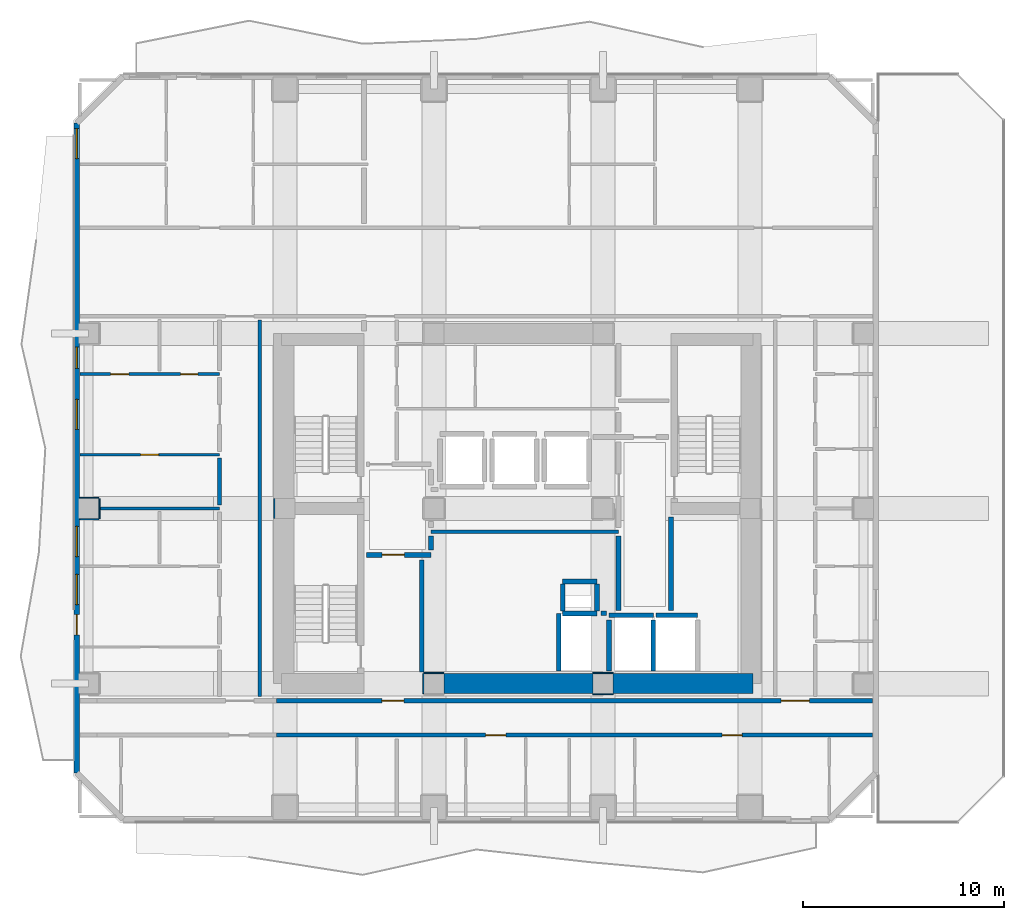
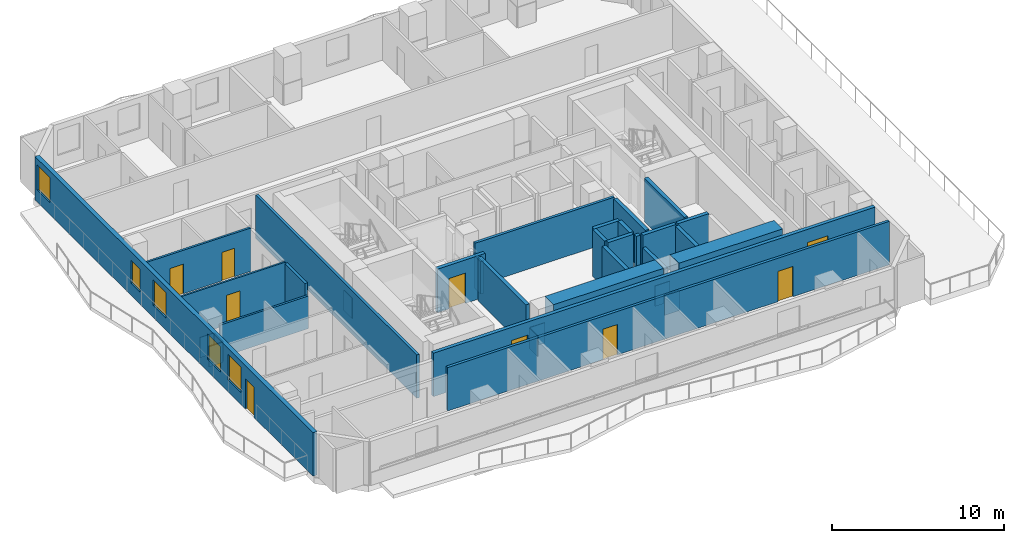
# One storey, part 3 of 11: 34 walls, 9 doors, 5 windows, 14 openings.
"""IFC4 building model written with IfcOpenShell, lengths in metres."""

import ifcopenshell
import ifcopenshell.guid

model = None  # the IFC model being written
_history = None  # IfcOwnerHistory: only IFC2X3 demands one
_inside = {}  # id of a spatial element -> (the spatial element, [elements in it])
_under = {}  # id of a project, library or spatial element -> (it, [spatial elements below it])
_declared = {}  # id of a project -> (the project, [libraries it declares])
_typed = {}  # id of a type object -> (the type object, [elements of that type])
_made_of = {}  # id of a material, layer set ... -> (it, [elements and type objects made of it])


def new_model(schema):
    """Start an empty IFC model of exactly this schema.

    Asked for "IFC4X3", IfcOpenShell would pick the latest addendum, in which some entities
    have other attributes; the version numbers below select the first issue.
    IFC2X3 requires an IfcOwnerHistory on every rooted entity: one is made here for all.
    """
    global model, _history
    if schema == "IFC4X3":
        model = ifcopenshell.file(schema_version=(4, 3, 0, 0))
    else:
        model = ifcopenshell.file(schema=schema)
    _inside.clear()
    _under.clear()
    _declared.clear()
    _typed.clear()
    _made_of.clear()
    _history = None
    if model.schema == "IFC2X3":
        org = make("IfcOrganization", Name="unknown")
        user = make(
            "IfcPersonAndOrganization",
            ThePerson=make("IfcPerson", FamilyName="unknown"),
            TheOrganization=org,
        )
        app = make(
            "IfcApplication",
            ApplicationDeveloper=org,
            Version="unknown",
            ApplicationFullName="unknown",
            ApplicationIdentifier="unknown",
        )
        _history = make(
            "IfcOwnerHistory",
            OwningUser=user,
            OwningApplication=app,
            ChangeAction="ADDED",
            CreationDate=0,
        )
    return model


def make(cls, **values):
    """One entity of the class cls with the attributes given. An attribute that is None is left unset."""
    return model.create_entity(
        cls, **{name: value for name, value in values.items() if value is not None}
    )


def rooted(cls, **values):
    """An entity with a GlobalId (a new one), such as an element, a storey or a relation."""
    return make(cls, GlobalId=ifcopenshell.guid.new(), OwnerHistory=_history, **values)


def si_unit(unit_type, name, prefix=None):
    """IfcSIUnit, for example si_unit("LENGTHUNIT", "METRE", prefix="MILLI")."""
    return make("IfcSIUnit", UnitType=unit_type, Prefix=prefix, Name=name)


def assignment(units):
    """IfcUnitAssignment: the units of a project."""
    return None if units is None else make("IfcUnitAssignment", Units=units)


def point(xyz):
    """IfcCartesianPoint."""
    return None if xyz is None else make("IfcCartesianPoint", Coordinates=xyz)


def direction(xyz):
    """IfcDirection."""
    return None if xyz is None else make("IfcDirection", DirectionRatios=xyz)


def frame(location, z_axis=None, x_axis=None):
    """IfcAxis2Placement3D, a coordinate frame: its origin and axes. An axis left out is left unset."""
    return make(
        "IfcAxis2Placement3D",
        Location=point(location),
        Axis=direction(z_axis),
        RefDirection=direction(x_axis),
    )


def frame_2d(location, x_axis=None):
    """IfcAxis2Placement2D, a coordinate frame in the plane: its origin and x axis."""
    return make(
        "IfcAxis2Placement2D", Location=point(location), RefDirection=direction(x_axis)
    )


def origin():
    """The frame at (0, 0, 0) with its axes left unset."""
    return frame((0.0, 0.0, 0.0))


def place(relative_to, where):
    """IfcLocalPlacement: puts the frame where relative to a parent placement (None: the world)."""
    return make(
        "IfcLocalPlacement", PlacementRelTo=relative_to, RelativePlacement=where
    )


def context(
    kind, dimensions, precision=None, world=None, true_north=None, identifier=None
):
    """IfcGeometricRepresentationContext, for example the 3D "Model" context."""
    return make(
        "IfcGeometricRepresentationContext",
        ContextIdentifier=identifier,
        ContextType=kind,
        CoordinateSpaceDimension=dimensions,
        Precision=precision,
        WorldCoordinateSystem=world,
        TrueNorth=true_north,
    )


def subcontext(parent, identifier, kind, view, scale=None):
    """IfcGeometricRepresentationSubContext, for example "Body" below "Model"."""
    return make(
        "IfcGeometricRepresentationSubContext",
        ContextIdentifier=identifier,
        ContextType=kind,
        ParentContext=parent,
        TargetScale=scale,
        TargetView=view,
    )


def project(units=None, contexts=None):
    """IfcProject with its units and contexts."""
    return rooted(
        "IfcProject",
        Name="project",
        RepresentationContexts=contexts,
        UnitsInContext=assignment(units),
    )


def spatial(cls, under=None, at=None, **own):
    """A site, building, storey or space (cls), placed at a placement, below another one or the project."""
    s = rooted(cls, ObjectPlacement=at, **own)
    if under is not None:
        _under.setdefault(under.id(), (under, []))[1].append(s)
    return s


def profile(cls, at=None, kind="AREA", **sizes):
    """A parametric profile (cls). Its sizes go by their IFC names, for example OverallWidth=200.0."""
    return make(cls, ProfileType=kind, Position=at, **sizes)


def rectangle(**sizes):
    """IfcRectangleProfileDef."""
    return profile("IfcRectangleProfileDef", **sizes)


def extrude(swept, where, along, depth):
    """IfcExtrudedAreaSolid: the profile swept, set in the frame where, extruded along a direction by depth."""
    return make(
        "IfcExtrudedAreaSolid",
        SweptArea=swept,
        Position=where,
        ExtrudedDirection=direction(along),
        Depth=depth,
    )


def shape(context_of_items, identifier, shape_type, items):
    """IfcShapeRepresentation: the items that make up one representation, for example the "Body"."""
    return make(
        "IfcShapeRepresentation",
        ContextOfItems=context_of_items,
        RepresentationIdentifier=identifier,
        RepresentationType=shape_type,
        Items=items,
    )


def material(Name=None, Category=None):
    """IfcMaterial."""
    return make("IfcMaterial", Name=Name, Category=Category)


def layer(
    of_material, thickness, ventilated=None, Name=None, Category=None, Priority=None
):
    """IfcMaterialLayer: one layer of a wall or slab, of a material (None: an air gap)."""
    return make(
        "IfcMaterialLayer",
        Material=of_material,
        LayerThickness=thickness,
        IsVentilated=ventilated,
        Name=Name,
        Category=Category,
        Priority=Priority,
    )


def layer_set(layers, Name=None):
    """IfcMaterialLayerSet."""
    return make("IfcMaterialLayerSet", MaterialLayers=layers, LayerSetName=Name)


def made_of(thing, what):
    """Note that an element or type object is made of a material, layer set ...; save() writes the relation."""
    if what is not None:
        _made_of.setdefault(what.id(), (what, []))[1].append(thing)
    return thing


def type_object(cls, material=None, **own):
    """A type object (cls), such as IfcWallType, which elements share."""
    return made_of(rooted(cls, **own), material)


def element(
    cls,
    number,
    at=None,
    inside=None,
    cuts=None,
    type_object=None,
    material=None,
    context=None,
    identifier="Body",
    shape_type=None,
    held_by="IfcProductDefinitionShape",
    body=None,
    shapes=None,
    **own,
):
    """One element of the class cls, such as IfcWall. Its Tag is "e" and its number.

    at: its placement. inside: the storey or other place that contains it. cuts: it is an
    opening in that element (IfcRelVoidsElement). A single representation is given by context,
    identifier, shape_type and body (its items); several are given by shapes. held_by: the class
    of the entity that holds the representations. save() writes the other relations.
    """
    e = rooted(cls, Tag="e%d" % number, ObjectPlacement=at, **own)
    if body is not None:
        shapes = [shape(context, identifier, shape_type, body)]
    if shapes is not None:
        e.Representation = make(held_by, Representations=shapes)
    if inside is not None:
        _inside.setdefault(inside.id(), (inside, []))[1].append(e)
    if cuts is not None:
        rooted(
            "IfcRelVoidsElement", RelatingBuildingElement=cuts, RelatedOpeningElement=e
        )
    if type_object is not None:
        _typed.setdefault(type_object.id(), (type_object, []))[1].append(e)
    return made_of(e, material)


def fill(opening, filler):
    """IfcRelFillsElement: the door or window that sits in an opening."""
    return rooted(
        "IfcRelFillsElement",
        RelatingOpeningElement=opening,
        RelatedBuildingElement=filler,
    )


def aggregate(whole, parts):
    """IfcRelAggregates: a whole, such as a stair, and the parts it consists of."""
    return rooted("IfcRelAggregates", RelatingObject=whole, RelatedObjects=parts)


def save(model, path):
    """Write the relations noted so far, then the file.

    IfcRelAggregates (storeys below a building ...), IfcRelContainedInSpatialStructure (elements
    in a storey), IfcRelDefinesByType, IfcRelAssociatesMaterial and IfcRelDeclares: one each for
    every whole, place, type object, material and project.
    """
    for whole, parts in _under.values():
        aggregate(whole, parts)
    for where, things in _inside.values():
        rooted(
            "IfcRelContainedInSpatialStructure",
            RelatedElements=things,
            RelatingStructure=where,
        )
    for kind, things in _typed.values():
        rooted("IfcRelDefinesByType", RelatedObjects=things, RelatingType=kind)
    for what, things in _made_of.values():
        rooted("IfcRelAssociatesMaterial", RelatedObjects=things, RelatingMaterial=what)
    for by, libraries in _declared.values():
        rooted("IfcRelDeclares", RelatingContext=by, RelatedDefinitions=libraries)
    model.write(path)


model = new_model("IFC4")

# Units and contexts
model_context = context("Model", 3, precision=1e-05, world=origin(), true_north=direction((0.0, 1.0)))
body_context = subcontext(model_context, "Body", "Model", "MODEL_VIEW")
ifc_project = project(units=[si_unit("LENGTHUNIT", "METRE"), si_unit("AREAUNIT", "SQUARE_METRE"), si_unit("VOLUMEUNIT", "CUBIC_METRE"), si_unit("PLANEANGLEUNIT", "RADIAN"), si_unit("MASSUNIT", "GRAM", prefix="KILO")], contexts=[model_context])

# Site, building, storey
site_placement = place(None, origin())
site = spatial("IfcSite", under=ifc_project, at=site_placement, CompositionType="ELEMENT")
building_placement = place(site_placement, origin())
building = spatial("IfcBuilding", under=site, at=building_placement, Name="Solanera Arch Residences", CompositionType="ELEMENT")
storey_placement = place(building_placement, frame((0.0, 0.0, 165.840087890625)))
storey = spatial("IfcBuildingStorey", under=building, at=storey_placement, Name="L48", CompositionType="ELEMENT", Elevation=165.840087890625)

# Walls
ifc_material_1 = material(Name="Fire-Rated Gypsum Stud Partition", Category="gypsum")
ifc_layer_1 = layer(ifc_material_1, 0.06005859375)
ifc_layer_set_1 = layer_set([ifc_layer_1], Name="Fire-Rated Gypsum Stud Partition")
wall_type_1 = type_object("IfcWallType", Name="Column Acoustic Furring Wall 60", PredefinedType="PARTITIONING", material=ifc_layer_set_1)
for number, where, z_axis, x_axis, name in (
    (1, (20.300048828125, 22.531982421875, 0.0), (0.0, 0.0, 1.0), (1.0, 0.0, 0.0), "L48 Column Furring 1N"),
    (2, (20.26806640625, 21.5, 0.0), (0.0, 0.0, 1.0), (0.0, 1.0, 0.0), "L48 Column Furring 1W"),
    (3, (28.699951171875, 21.468017578125, 0.0), (0.0, 0.0, 1.0), (1.0, 0.0, 0.0), "L48 Column Furring 2S"),
    (4, (28.699951171875, 22.531982421875, 0.0), (0.0, 0.0, 1.0), (1.0, 0.0, 0.0), "L48 Column Furring 2N"),
):
    element("IfcWall", number, at=place(storey_placement, frame(where, z_axis=z_axis, x_axis=x_axis)), inside=storey, type_object=wall_type_1, Name=name, PredefinedType="PARTITIONING", context=body_context, shape_type="SweptSolid", body=[
        extrude(rectangle(XDim=1.0, YDim=0.06005859375, at=frame_2d((0.5, 0.0))), origin(), (0.0, 0.0, 1.0), 1.449951171875),
    ])
wall_1_placement = place(storey_placement, frame((12.867919921875, 30.2099609375, 0.0), z_axis=(0.0, 0.0, 1.0), x_axis=(0.0, 1.0, 0.0)))
element("IfcWall", 5, at=wall_1_placement, inside=storey, type_object=wall_type_1, Name="L48 Column Furring 5W", PredefinedType="PARTITIONING", context=body_context, shape_type="SweptSolid", body=[
    extrude(rectangle(XDim=0.97998046875, YDim=0.06005859375, at=frame_2d((0.489990234375, 0.0))), origin(), (0.0, 0.0, 1.0), 1.449951171875),
])
for number, where, z_axis, x_axis, name in (
    (6, (3.2099609375, 30.16796875, 0.0), (0.0, 0.0, 1.0), (1.0, 0.0, 0.0), "L48 Column Furring 19S"),
    (7, (3.2099609375, 31.23193359375, 0.0), (0.0, 0.0, 1.0), (1.0, 0.0, 0.0), "L48 Column Furring 19N"),
):
    element("IfcWall", number, at=place(storey_placement, frame(where, z_axis=z_axis, x_axis=x_axis)), inside=storey, type_object=wall_type_1, Name=name, PredefinedType="PARTITIONING", context=body_context, shape_type="SweptSolid", body=[
        extrude(rectangle(XDim=0.93994140625, YDim=0.06005859375, at=frame_2d((0.469970703125, 0.0))), origin(), (0.0, 0.0, 1.0), 1.449951171875),
    ])
wall_2_placement = place(storey_placement, frame((4.181884765625, 30.199951171875, 0.0), z_axis=(0.0, 0.0, 1.0), x_axis=(0.0, 1.0, 0.0)))
element("IfcWall", 8, at=wall_2_placement, inside=storey, type_object=wall_type_1, Name="L48 Column Furring 19E", PredefinedType="PARTITIONING", context=body_context, shape_type="SweptSolid", body=[
    extrude(rectangle(XDim=1.0, YDim=0.06005859375, at=frame_2d((0.5, 0.0))), origin(), (0.0, 0.0, 1.0), 1.449951171875),
])
ifc_material_2 = material(Name="Concrete C55/67 (f'c = 60 MPa)", Category="concrete")
ifc_layer_2 = layer(ifc_material_2, 1.0)
ifc_layer_set_2 = layer_set([ifc_layer_2], Name="Concrete C55/67 (f'c = 60 MPa)")
wall_type_2 = type_object("IfcWallType", Name="Core Shear Wall CW-1000", PredefinedType="SHEAR", material=ifc_layer_set_2)
wall_3_placement = place(storey_placement, frame((29.705078125, 22.0, 0.0), z_axis=(0.0, 0.0, 1.0), x_axis=(1.0, 0.0, 0.0)))
element("IfcWall", 9, at=wall_3_placement, inside=storey, type_object=wall_type_2, Name="L48 South-East Core Shear Wall", PredefinedType="SHEAR", context=body_context, shape_type="SweptSolid", body=[
    extrude(rectangle(XDim=6.954833984375, YDim=1.0, at=frame_2d((3.4775390625, 0.0))), origin(), (0.0, 0.0, 1.0), 3.31982421875),
])
wall_4_placement = place(storey_placement, frame((21.304931640625, 22.0, 0.0), z_axis=(0.0, 0.0, 1.0), x_axis=(1.0, 0.0, 0.0)))
element("IfcWall", 10, at=wall_4_placement, inside=storey, type_object=wall_type_2, Name="L48 Central South Core Shear Wall", PredefinedType="SHEAR", context=body_context, shape_type="SweptSolid", body=[
    extrude(rectangle(XDim=7.39013671875, YDim=1.0, at=frame_2d((3.695068359375, 0.0))), origin(), (0.0, 0.0, 1.0), 3.31982421875),
])

# Wall, openings, doors
ifc_material_3 = material(Name="Autoclaved Aerated Concrete Blockwork", Category="masonry")
ifc_layer_3 = layer(ifc_material_3, 0.179931640625)
ifc_layer_set_3 = layer_set([ifc_layer_3], Name="Autoclaved Aerated Concrete Blockwork")
wall_type_3 = type_object("IfcWallType", Name="Corridor Fire Partition 180", PredefinedType="PARTITIONING", material=ifc_layer_set_3)
wall_5_placement = place(storey_placement, frame((12.98291015625, 19.449951171875, 0.0), z_axis=(0.0, 0.0, 1.0), x_axis=(1.0, 0.0, 0.0)))
wall_5 = element("IfcWall", 11, at=wall_5_placement, inside=storey, type_object=wall_type_3, Name="L48 Interior Partition H6 3", PredefinedType="PARTITIONING", context=body_context, shape_type="SweptSolid", body=[
    extrude(rectangle(XDim=29.610107421875, YDim=0.179931640625, at=frame_2d((14.80517578125, 0.0))), origin(), (0.0, 0.0, 1.0), 3.079833984375),
])
opening_1_placement = place(wall_5_placement, frame((10.39208984375, 0.0, 0.0)))
opening_1 = element("IfcOpeningElement", 12, at=opening_1_placement, cuts=wall_5, Name="Opening DI-01", PredefinedType="OPENING", context=body_context, shape_type="SweptSolid", body=[
    extrude(rectangle(XDim=1.0, YDim=2.14990234375, at=frame_2d((0.5, 1.074951171875))), frame((0.0, 0.10009765625, 0.0), z_axis=(0.0, -1.0, 0.0), x_axis=(1.0, 0.0, 0.0)), (0.0, 0.0, 1.0), 0.1999),
])
opening_2_placement = place(wall_5_placement, frame((22.132080078125, 0.0, 0.0)))
opening_2 = element("IfcOpeningElement", 13, at=opening_2_placement, cuts=wall_5, Name="Opening DI-01", PredefinedType="OPENING", context=body_context, shape_type="SweptSolid", body=[
    extrude(rectangle(XDim=1.0, YDim=2.14990234375, at=frame_2d((0.5, 1.074951171875))), frame((0.0, 0.10009765625, 0.0), z_axis=(0.0, -1.0, 0.0), x_axis=(1.0, 0.0, 0.0)), (0.0, 0.0, 1.0), 0.1999),
])
ifc_material_4 = material(Name="Fire-Rated Architectural Hardwood", Category="wood")
door_type_1 = type_object("IfcDoorType", Name="Unit Entrance Fire Door DI-01", OperationType="NOTDEFINED", PredefinedType="DOOR", material=ifc_material_4)
door_1_placement = place(opening_1_placement, origin())
door_1 = element("IfcDoor", 14, at=door_1_placement, inside=storey, type_object=door_type_1, Name="DR-L48-IN-019", OperationType="SINGLE_SWING_RIGHT", OverallHeight=2.14990234375, OverallWidth=1.0, PredefinedType="DOOR", context=body_context, shape_type="SweptSolid", body=[
    extrude(rectangle(XDim=1.0, YDim=2.14990234375, at=frame_2d((0.5, 1.074951171875))), frame((0.0, 0.02490234375, 0.0), z_axis=(0.0, -1.0, 0.0), x_axis=(1.0, 0.0, 0.0)), (0.0, 0.0, 1.0), 0.050048828125),
])
fill(opening_1, door_1)
door_2_placement = place(opening_2_placement, origin())
door_2 = element("IfcDoor", 15, at=door_2_placement, inside=storey, type_object=door_type_1, Name="DR-L48-IN-022", OperationType="SINGLE_SWING_LEFT", OverallHeight=2.14990234375, OverallWidth=1.0, PredefinedType="DOOR", context=body_context, shape_type="SweptSolid", body=[
    extrude(rectangle(XDim=1.0, YDim=2.14990234375, at=frame_2d((0.5, 1.074951171875))), frame((0.0, 0.02490234375, 0.0), z_axis=(0.0, -1.0, 0.0), x_axis=(1.0, 0.0, 0.0)), (0.0, 0.0, 1.0), 0.050048828125),
])
fill(opening_2, door_2)

# Walls
wall_6_placement = place(storey_placement, frame((20.64990234375, 29.550048828125, 0.0), z_axis=(0.0, 0.0, 1.0), x_axis=(1.0, 0.0, 0.0)))
element("IfcWall", 16, at=wall_6_placement, inside=storey, type_object=wall_type_3, Name="L48 Interior Partition H7", PredefinedType="PARTITIONING", context=body_context, shape_type="SweptSolid", body=[
    extrude(rectangle(XDim=9.3251953125, YDim=0.179931640625, at=frame_2d((4.66259765625, 0.0))), origin(), (0.0, 0.0, 1.0), 3.079833984375),
])
wall_7_placement = place(storey_placement, frame((10.14990234375, 30.867919921875, 0.0), z_axis=(0.0, 0.0, 1.0), x_axis=(0.0, 1.0, 0.0)))
element("IfcWall", 17, at=wall_7_placement, inside=storey, type_object=wall_type_3, Name="L48 Interior Partition V8 4", PredefinedType="PARTITIONING", context=body_context, shape_type="SweptSolid", body=[
    extrude(rectangle(XDim=2.34814453125, YDim=0.179931640625, at=frame_2d((1.174072265625, 0.0))), origin(), (0.0, 0.0, 1.0), 3.079833984375),
])
wall_8_placement = place(storey_placement, frame((12.14990234375, 21.367919921875, 0.0), z_axis=(0.0, 0.0, 1.0), x_axis=(0.0, 1.0, 0.0)))
element("IfcWall", 18, at=wall_8_placement, inside=storey, type_object=wall_type_3, Name="L48 Interior Partition V9", PredefinedType="PARTITIONING", context=body_context, shape_type="SweptSolid", body=[
    extrude(rectangle(XDim=18.694091796875, YDim=0.179931640625, at=frame_2d((9.34716796875, 0.0))), origin(), (0.0, 0.0, 1.0), 3.079833984375),
])

# Wall, openings, door, windows
ifc_material_5 = material(Name="Precast Concrete C35/45", Category="concrete")
ifc_layer_4 = layer(ifc_material_5, 0.280029296875)
ifc_layer_set_4 = layer_set([ifc_layer_4], Name="Precast Concrete C35/45")
wall_type_4 = type_object("IfcWallType", Name="Exterior Wall Precast Masonry-Frame 280", PredefinedType="STANDARD", material=ifc_layer_set_4)
wall_9_placement = place(storey_placement, frame((3.054931640625, 17.554931640625, 0.0), z_axis=(0.0, 0.0, 1.0), x_axis=(0.0, 1.0, 0.0)))
wall_9 = element("IfcWall", 19, at=wall_9_placement, inside=storey, type_object=wall_type_4, Name="L48 Tower Exterior Precast Masonry-Frame Wall W", PredefinedType="STANDARD", context=body_context, shape_type="SweptSolid", body=[
    extrude(rectangle(XDim=32.2900390625, YDim=0.280029296875, at=frame_2d((16.14501953125, 0.0))), origin(), (0.0, 0.0, 1.0), 3.079833984375),
])
opening_3_placement = place(wall_9_placement, frame((6.87109375, 0.0, 0.0)))
opening_3 = element("IfcOpeningElement", 20, at=opening_3_placement, cuts=wall_9, Name="Opening DB-01", PredefinedType="OPENING", context=body_context, shape_type="SweptSolid", body=[
    extrude(rectangle(XDim=1.0, YDim=2.14990234375, at=frame_2d((0.5, 1.074951171875))), frame((0.0, 0.14990234375, 0.0), z_axis=(0.0, -1.0, 0.0), x_axis=(1.0, 0.0, 0.0)), (0.0, 0.0, 1.0), 0.3),
])
opening_4_placement = place(wall_9_placement, frame((30.527099609375, 0.0, 0.85009765625)))
opening_4 = element("IfcOpeningElement", 21, at=opening_4_placement, cuts=wall_9, Name="Opening W-02", PredefinedType="OPENING", context=body_context, shape_type="SweptSolid", body=[
    extrude(rectangle(XDim=1.5, YDim=1.800048828125, at=frame_2d((0.75, 0.89990234375))), frame((0.0, 0.14990234375, 0.0), z_axis=(0.0, -1.0, 0.0), x_axis=(1.0, 0.0, 0.0)), (0.0, 0.0, 1.0), 0.3),
])
opening_5_placement = place(wall_9_placement, frame((8.375, 0.0, 0.85009765625)))
opening_5 = element("IfcOpeningElement", 22, at=opening_5_placement, cuts=wall_9, Name="Opening W-02", PredefinedType="OPENING", context=body_context, shape_type="SweptSolid", body=[
    extrude(rectangle(XDim=1.5, YDim=1.800048828125, at=frame_2d((0.75, 0.89990234375))), frame((0.0, 0.14990234375, 0.0), z_axis=(0.0, -1.0, 0.0), x_axis=(1.0, 0.0, 0.0)), (0.0, 0.0, 1.0), 0.3),
])
opening_6_placement = place(wall_9_placement, frame((10.761962890625, 0.0, 0.85009765625)))
opening_6 = element("IfcOpeningElement", 23, at=opening_6_placement, cuts=wall_9, Name="Opening W-02", PredefinedType="OPENING", context=body_context, shape_type="SweptSolid", body=[
    extrude(rectangle(XDim=1.5, YDim=1.800048828125, at=frame_2d((0.75, 0.89990234375))), frame((0.0, 0.14990234375, 0.0), z_axis=(0.0, -1.0, 0.0), x_axis=(1.0, 0.0, 0.0)), (0.0, 0.0, 1.0), 0.3),
])
opening_7_placement = place(wall_9_placement, frame((17.074951171875, 0.0, 0.85009765625)))
opening_7 = element("IfcOpeningElement", 24, at=opening_7_placement, cuts=wall_9, Name="Opening W-02", PredefinedType="OPENING", context=body_context, shape_type="SweptSolid", body=[
    extrude(rectangle(XDim=1.5, YDim=1.800048828125, at=frame_2d((0.75, 0.89990234375))), frame((0.0, 0.14990234375, 0.0), z_axis=(0.0, -1.0, 0.0), x_axis=(1.0, 0.0, 0.0)), (0.0, 0.0, 1.0), 0.3),
])
opening_8_placement = place(wall_9_placement, frame((20.113037109375, 0.0, 0.85009765625)))
opening_8 = element("IfcOpeningElement", 25, at=opening_8_placement, cuts=wall_9, Name="Opening W-07", PredefinedType="OPENING", context=body_context, shape_type="SweptSolid", body=[
    extrude(rectangle(XDim=1.050048828125, YDim=1.64990234375, at=frame_2d((0.52490234375, 0.824951171875))), frame((0.0, 0.14990234375, 0.0), z_axis=(0.0, -1.0, 0.0), x_axis=(1.0, 0.0, 0.0)), (0.0, 0.0, 1.0), 0.3),
])
ifc_material_6 = material(Name="Anodised Aluminium Alloy 6063-T6", Category="aluminium")
door_type_2 = type_object("IfcDoorType", Name="Glazed Balcony Swing Door DB-01", OperationType="NOTDEFINED", PredefinedType="DOOR", material=ifc_material_6)
door_3_placement = place(opening_3_placement, origin())
door_3 = element("IfcDoor", 26, at=door_3_placement, inside=storey, type_object=door_type_2, Name="DR-L48-OUT-04", OperationType="SINGLE_SWING_LEFT", OverallHeight=2.14990234375, OverallWidth=1.0, PredefinedType="DOOR", context=body_context, shape_type="SweptSolid", body=[
    extrude(rectangle(XDim=1.0, YDim=2.14990234375, at=frame_2d((0.5, 1.074951171875))), frame((0.0, 0.02490234375, 0.0), z_axis=(0.0, -1.0, 0.0), x_axis=(1.0, 0.0, 0.0)), (0.0, 0.0, 1.0), 0.050048828125),
])
fill(opening_3, door_3)
ifc_material_7 = material(Name="Double Glazed Low-E Laminated Glass", Category="glass")
window_type_1 = type_object("IfcWindowType", Name="Punched Window W-02", PartitioningType="DOUBLE_PANEL_VERTICAL", PredefinedType="WINDOW", material=ifc_material_7)
window_1_placement = place(opening_4_placement, origin())
window_1 = element("IfcWindow", 27, at=window_1_placement, inside=storey, type_object=window_type_1, Name="L48 4804-BR1 Punched Window", OverallHeight=1.800048828125, OverallWidth=1.5, PartitioningType="SINGLE_PANEL", PredefinedType="WINDOW", context=body_context, shape_type="SweptSolid", body=[
    extrude(rectangle(XDim=1.5, YDim=1.800048828125, at=frame_2d((0.75, 0.89990234375))), frame((0.0, 0.030029296875, 0.0), z_axis=(0.0, -1.0, 0.0), x_axis=(1.0, 0.0, 0.0)), (0.0, 0.0, 1.0), 0.06005859375),
])
fill(opening_4, window_1)
window_2_placement = place(opening_5_placement, origin())
window_2 = element("IfcWindow", 28, at=window_2_placement, inside=storey, type_object=window_type_1, Name="L48 4806-LIV Punched Window", OverallHeight=1.800048828125, OverallWidth=1.5, PartitioningType="SINGLE_PANEL", PredefinedType="WINDOW", context=body_context, shape_type="SweptSolid", body=[
    extrude(rectangle(XDim=1.5, YDim=1.800048828125, at=frame_2d((0.75, 0.89990234375))), frame((0.0, 0.030029296875, 0.0), z_axis=(0.0, -1.0, 0.0), x_axis=(1.0, 0.0, 0.0)), (0.0, 0.0, 1.0), 0.06005859375),
])
fill(opening_5, window_2)
window_3_placement = place(opening_6_placement, origin())
window_3 = element("IfcWindow", 29, at=window_3_placement, inside=storey, type_object=window_type_1, Name="L48 4806-BR1 Punched Window", OverallHeight=1.800048828125, OverallWidth=1.5, PartitioningType="SINGLE_PANEL", PredefinedType="WINDOW", context=body_context, shape_type="SweptSolid", body=[
    extrude(rectangle(XDim=1.5, YDim=1.800048828125, at=frame_2d((0.75, 0.89990234375))), frame((0.0, 0.030029296875, 0.0), z_axis=(0.0, -1.0, 0.0), x_axis=(1.0, 0.0, 0.0)), (0.0, 0.0, 1.0), 0.06005859375),
])
fill(opening_6, window_3)
window_4_placement = place(opening_7_placement, origin())
window_4 = element("IfcWindow", 30, at=window_4_placement, inside=storey, type_object=window_type_1, Name="L48 4807-LIV Punched Window", OverallHeight=1.800048828125, OverallWidth=1.5, PartitioningType="SINGLE_PANEL", PredefinedType="WINDOW", context=body_context, shape_type="SweptSolid", body=[
    extrude(rectangle(XDim=1.5, YDim=1.800048828125, at=frame_2d((0.75, 0.89990234375))), frame((0.0, 0.030029296875, 0.0), z_axis=(0.0, -1.0, 0.0), x_axis=(1.0, 0.0, 0.0)), (0.0, 0.0, 1.0), 0.06005859375),
])
fill(opening_7, window_4)
ifc_material_8 = material(Name="Double Glazed Low-E Laminated Glass", Category="glass")
window_type_2 = type_object("IfcWindowType", Name="Punched Window W-07", PartitioningType="SINGLE_PANEL", PredefinedType="WINDOW", material=ifc_material_8)
window_5_placement = place(opening_8_placement, origin())
window_5 = element("IfcWindow", 31, at=window_5_placement, inside=storey, type_object=window_type_2, Name="L48 4807-BR1 Punched Window", OverallHeight=1.64990234375, OverallWidth=1.050048828125, PartitioningType="SINGLE_PANEL", PredefinedType="WINDOW", context=body_context, shape_type="SweptSolid", body=[
    extrude(rectangle(XDim=1.050048828125, YDim=1.64990234375, at=frame_2d((0.52490234375, 0.824951171875))), frame((0.0, 0.030029296875, 0.0), z_axis=(0.0, -1.0, 0.0), x_axis=(1.0, 0.0, 0.0)), (0.0, 0.0, 1.0), 0.06005859375),
])
fill(opening_8, window_5)

# Walls
ifc_material_9 = material(Name="Concrete C40/50 (f'c = 45 MPa)", Category="concrete")
ifc_layer_5 = layer(ifc_material_9, 0.239990234375)
ifc_layer_set_5 = layer_set([ifc_layer_5], Name="Concrete C40/50 (f'c = 45 MPa)")
wall_type_5 = type_object("IfcWallType", Name="Ramp Bearing Shear Wall RW-240", PredefinedType="SHEAR", material=ifc_layer_set_5)
for number, where, z_axis, x_axis, name in (
    (32, (27.199951171875, 25.47998046875, 0.0), (0.0, 0.0, 1.0), (1.0, 0.0, 0.0), "L48 Core MEP Riser South Shaft Wall"),
    (33, (27.199951171875, 27.080078125, 0.0), (0.0, 0.0, 1.0), (1.0, 0.0, 0.0), "L48 Core MEP Riser North Shaft Wall"),
):
    element("IfcWall", number, at=place(storey_placement, frame(where, z_axis=z_axis, x_axis=x_axis)), inside=storey, type_object=wall_type_5, Name=name, PredefinedType="SHEAR", context=body_context, shape_type="SweptSolid", body=[
        extrude(rectangle(XDim=1.699951171875, YDim=0.239990234375, at=frame_2d((0.85009765625, 0.0))), origin(), (0.0, 0.0, 1.0), 3.31982421875),
    ])
for number, where, z_axis, x_axis, name in (
    (34, (27.199951171875, 25.60009765625, 0.0), (0.0, 0.0, 1.0), (0.0, 1.0, 0.0), "L48 Core MEP Riser West Shaft Wall"),
    (35, (28.89990234375, 25.60009765625, 0.0), (0.0, 0.0, 1.0), (0.0, 1.0, 0.0), "L48 Core MEP Riser East Shaft Wall"),
):
    element("IfcWall", number, at=place(storey_placement, frame(where, z_axis=z_axis, x_axis=x_axis)), inside=storey, type_object=wall_type_5, Name=name, PredefinedType="SHEAR", context=body_context, shape_type="SweptSolid", body=[
        extrude(rectangle(XDim=1.35986328125, YDim=0.239990234375, at=frame_2d((0.679931640625, 0.0))), origin(), (0.0, 0.0, 1.0), 3.31982421875),
    ])
ifc_material_10 = material(Name="Autoclaved Aerated Concrete Blockwork", Category="masonry")
ifc_layer_6 = layer(ifc_material_10, 0.239990234375)
ifc_layer_set_6 = layer_set([ifc_layer_6], Name="Autoclaved Aerated Concrete Blockwork")
wall_type_6 = type_object("IfcWallType", Name="Shaft Wall Fire-Rated 240", PredefinedType="PARTITIONING", material=ifc_layer_set_6)
wall_10_placement = place(storey_placement, frame((29.5, 25.39990234375, 0.0), z_axis=(0.0, 0.0, 1.0), x_axis=(1.0, 0.0, 0.0)))
element("IfcWall", 36, at=wall_10_placement, inside=storey, type_object=wall_type_6, Name="L48 Lift FFL-1 Hoistway Wall N", PredefinedType="PARTITIONING", context=body_context, shape_type="SweptSolid", body=[
    extrude(rectangle(XDim=2.199951171875, YDim=0.239990234375, at=frame_2d((1.10009765625, 0.0))), origin(), (0.0, 0.0, 1.0), 3.079833984375),
])
wall_11_placement = place(storey_placement, frame((29.5, 22.632080078125, 0.0), z_axis=(0.0, 0.0, 1.0), x_axis=(0.0, 1.0, 0.0)))
element("IfcWall", 37, at=wall_11_placement, inside=storey, type_object=wall_type_6, Name="L48 Lift FFL-1 Hoistway Wall W", PredefinedType="PARTITIONING", context=body_context, shape_type="SweptSolid", body=[
    extrude(rectangle(XDim=2.52001953125, YDim=0.239990234375, at=frame_2d((1.260009765625, 0.0))), origin(), (0.0, 0.0, 1.0), 2.31494140625),
])
wall_12_placement = place(storey_placement, frame((31.699951171875, 22.6298828125, 0.0), z_axis=(0.0, 0.0, 1.0), x_axis=(0.0, 1.0, 0.0)))
element("IfcWall", 38, at=wall_12_placement, inside=storey, type_object=wall_type_6, Name="L48 Lift FFL-1 Hoistway Wall E", PredefinedType="PARTITIONING", context=body_context, shape_type="SweptSolid", body=[
    extrude(rectangle(XDim=2.522216796875, YDim=0.239990234375, at=frame_2d((1.26123046875, 0.0))), origin(), (0.0, 0.0, 1.0), 3.079833984375),
])
wall_13_placement = place(storey_placement, frame((31.827880859375, 25.39990234375, 0.0), z_axis=(0.0, 0.0, 1.0), x_axis=(1.0, 0.0, 0.0)))
element("IfcWall", 39, at=wall_13_placement, inside=storey, type_object=wall_type_6, Name="L48 Lift FFL-2 Hoistway Wall N", PredefinedType="PARTITIONING", context=body_context, shape_type="SweptSolid", body=[
    extrude(rectangle(XDim=2.072021484375, YDim=0.239990234375, at=frame_2d((1.0361328125, 0.0))), origin(), (0.0, 0.0, 1.0), 3.079833984375),
])
wall_14_placement = place(storey_placement, frame((29.10302734375, 25.5, 0.0), z_axis=(0.0, 0.0, 1.0), x_axis=(1.0, 0.0, 0.0)))
element("IfcWall", 40, at=wall_14_placement, inside=storey, type_object=wall_type_6, Name="L48 Lift SVL-1 Hoistway Wall N", PredefinedType="PARTITIONING", context=body_context, shape_type="SweptSolid", body=[
    extrude(rectangle(XDim=0.26904296875, YDim=0.239990234375, at=frame_2d((0.134521484375, 0.0))), origin(), (0.0, 0.0, 1.0), 3.079833984375),
])
wall_15_placement = place(storey_placement, frame((27.0, 22.6298828125, 0.0), z_axis=(0.0, 0.0, 1.0), x_axis=(0.0, 1.0, 0.0)))
element("IfcWall", 41, at=wall_15_placement, inside=storey, type_object=wall_type_6, Name="L48 Lift SVL-1 Hoistway Wall W", PredefinedType="PARTITIONING", context=body_context, shape_type="SweptSolid", body=[
    extrude(rectangle(XDim=2.8681640625, YDim=0.239990234375, at=frame_2d((1.43408203125, 0.0))), origin(), (0.0, 0.0, 1.0), 3.079833984375),
])

# Wall, openings, doors
wall_16_placement = place(storey_placement, frame((12.98291015625, 21.14990234375, 0.0), z_axis=(0.0, 0.0, 1.0), x_axis=(1.0, 0.0, 0.0)))
wall_16 = element("IfcWall", 42, at=wall_16_placement, inside=storey, type_object=wall_type_6, Name="L48 Interior Partition H1 3", PredefinedType="PARTITIONING", context=body_context, shape_type="SweptSolid", body=[
    extrude(rectangle(XDim=29.610107421875, YDim=0.239990234375, at=frame_2d((14.80517578125, 0.0))), origin(), (0.0, 0.0, 1.0), 3.079833984375),
])
opening_9_placement = place(wall_16_placement, frame((5.22705078125, 0.0, 0.0)))
opening_9 = element("IfcOpeningElement", 43, at=opening_9_placement, cuts=wall_16, Name="Opening DF-02", PredefinedType="OPENING", context=body_context, shape_type="SweptSolid", body=[
    extrude(rectangle(XDim=1.10009765625, YDim=2.14990234375, at=frame_2d((0.550048828125, 1.074951171875))), frame((0.0, 0.1298828125, 0.0), z_axis=(0.0, -1.0, 0.0), x_axis=(1.0, 0.0, 0.0)), (0.0, 0.0, 1.0), 0.26),
])
opening_10_placement = place(wall_16_placement, frame((25.06689453125, 0.0, 0.0)))
opening_10 = element("IfcOpeningElement", 44, at=opening_10_placement, cuts=wall_16, Name="Opening DF-03", PredefinedType="OPENING", context=body_context, shape_type="SweptSolid", body=[
    extrude(rectangle(XDim=1.39990234375, YDim=2.14990234375, at=frame_2d((0.699951171875, 1.074951171875))), frame((0.0, 0.1298828125, 0.0), z_axis=(0.0, -1.0, 0.0), x_axis=(1.0, 0.0, 0.0)), (0.0, 0.0, 1.0), 0.26),
])
ifc_material_11 = material(Name="Fire-Rated Architectural Hardwood", Category="wood")
door_type_3 = type_object("IfcDoorType", Name="Corridor Smoke Door DF-03", OperationType="NOTDEFINED", PredefinedType="DOOR", material=ifc_material_11)
door_4_placement = place(opening_10_placement, origin())
door_4 = element("IfcDoor", 45, at=door_4_placement, inside=storey, type_object=door_type_3, Name="DR-L48-IN-011", OperationType="SINGLE_SWING_RIGHT", OverallHeight=2.14990234375, OverallWidth=1.39990234375, PredefinedType="DOOR", context=body_context, shape_type="SweptSolid", body=[
    extrude(rectangle(XDim=1.39990234375, YDim=2.14990234375, at=frame_2d((0.699951171875, 1.074951171875))), frame((0.0, 0.02490234375, 0.0), z_axis=(0.0, -1.0, 0.0), x_axis=(1.0, 0.0, 0.0)), (0.0, 0.0, 1.0), 0.050048828125),
])
fill(opening_10, door_4)
ifc_material_12 = material(Name="Fire-Rated Architectural Hardwood", Category="wood")
door_type_4 = type_object("IfcDoorType", Name="Firefighting Lobby Fire Door DF-02", OperationType="NOTDEFINED", PredefinedType="DOOR", material=ifc_material_12)
door_5_placement = place(opening_9_placement, origin())
door_5 = element("IfcDoor", 46, at=door_5_placement, inside=storey, type_object=door_type_4, Name="DR-L48-IN-008", OperationType="SINGLE_SWING_LEFT", OverallHeight=2.14990234375, OverallWidth=1.10009765625, PredefinedType="DOOR", context=body_context, shape_type="SweptSolid", body=[
    extrude(rectangle(XDim=1.10009765625, YDim=2.14990234375, at=frame_2d((0.550048828125, 1.074951171875))), frame((0.0, 0.02490234375, 0.0), z_axis=(0.0, -1.0, 0.0), x_axis=(1.0, 0.0, 0.0)), (0.0, 0.0, 1.0), 0.050048828125),
])
fill(opening_9, door_5)

# Wall, opening, door
wall_17_placement = place(storey_placement, frame((17.449951171875, 28.39990234375, 0.0), z_axis=(0.0, 0.0, 1.0), x_axis=(1.0, 0.0, 0.0)))
wall_17 = element("IfcWall", 47, at=wall_17_placement, inside=storey, type_object=wall_type_6, Name="L48 Interior Partition H3", PredefinedType="PARTITIONING", context=body_context, shape_type="SweptSolid", body=[
    extrude(rectangle(XDim=3.199951171875, YDim=0.239990234375, at=frame_2d((1.60009765625, 0.0))), origin(), (0.0, 0.0, 1.0), 3.079833984375),
])
opening_11_placement = place(wall_17_placement, frame((0.783935546875, 0.0, 0.0)))
opening_11 = element("IfcOpeningElement", 48, at=opening_11_placement, cuts=wall_17, Name="Opening DF-02", PredefinedType="OPENING", context=body_context, shape_type="SweptSolid", body=[
    extrude(rectangle(XDim=1.10009765625, YDim=2.14990234375, at=frame_2d((0.550048828125, 1.074951171875))), frame((0.0, 0.1298828125, 0.0), z_axis=(0.0, -1.0, 0.0), x_axis=(1.0, 0.0, 0.0)), (0.0, 0.0, 1.0), 0.26),
])
door_6_placement = place(opening_11_placement, origin())
door_6 = element("IfcDoor", 49, at=door_6_placement, inside=storey, type_object=door_type_4, Name="DR-L48-IN-004", OperationType="SINGLE_SWING_LEFT", OverallHeight=2.14990234375, OverallWidth=1.10009765625, PredefinedType="DOOR", context=body_context, shape_type="SweptSolid", body=[
    extrude(rectangle(XDim=1.10009765625, YDim=2.14990234375, at=frame_2d((0.550048828125, 1.074951171875))), frame((0.0, 0.02490234375, 0.0), z_axis=(0.0, -1.0, 0.0), x_axis=(1.0, 0.0, 0.0)), (0.0, 0.0, 1.0), 0.050048828125),
])
fill(opening_11, door_6)

# Walls
wall_18_placement = place(storey_placement, frame((20.199951171875, 22.5859375, 0.0), z_axis=(0.0, 0.0, 1.0), x_axis=(0.0, 1.0, 0.0)))
element("IfcWall", 50, at=wall_18_placement, inside=storey, type_object=wall_type_6, Name="L48 Interior Partition V3", PredefinedType="PARTITIONING", context=body_context, shape_type="SweptSolid", body=[
    extrude(rectangle(XDim=5.566162109375, YDim=0.239990234375, at=frame_2d((2.783203125, 0.0))), origin(), (0.0, 0.0, 1.0), 3.079833984375),
])
wall_19_placement = place(storey_placement, frame((20.64990234375, 28.64794921875, 0.0), z_axis=(0.0, 0.0, 1.0), x_axis=(0.0, 1.0, 0.0)))
element("IfcWall", 51, at=wall_19_placement, inside=storey, type_object=wall_type_6, Name="L48 Interior Partition V4 1", PredefinedType="PARTITIONING", context=body_context, shape_type="SweptSolid", body=[
    extrude(rectangle(XDim=0.68408203125, YDim=0.239990234375, at=frame_2d((0.342041015625, 0.0))), origin(), (0.0, 0.0, 1.0), 2.31494140625),
])
wall_20_placement = place(storey_placement, frame((29.97509765625, 25.64794921875, 0.0), z_axis=(0.0, 0.0, 1.0), x_axis=(0.0, 1.0, 0.0)))
element("IfcWall", 52, at=wall_20_placement, inside=storey, type_object=wall_type_6, Name="L48 Interior Partition V5 1", PredefinedType="PARTITIONING", context=body_context, shape_type="SweptSolid", body=[
    extrude(rectangle(XDim=3.68408203125, YDim=0.239990234375, at=frame_2d((1.842041015625, 0.0))), origin(), (0.0, 0.0, 1.0), 3.079833984375),
])
wall_21_placement = place(storey_placement, frame((32.580078125, 25.64794921875, 0.0), z_axis=(0.0, 0.0, 1.0), x_axis=(0.0, 1.0, 0.0)))
element("IfcWall", 53, at=wall_21_placement, inside=storey, type_object=wall_type_6, Name="L48 Interior Partition V6", PredefinedType="PARTITIONING", context=body_context, shape_type="SweptSolid", body=[
    extrude(rectangle(XDim=4.6220703125, YDim=0.239990234375, at=frame_2d((2.31103515625, 0.0))), origin(), (0.0, 0.0, 1.0), 3.079833984375),
])

# Wall, opening, door
ifc_material_13 = material(Name="Fire-Rated Gypsum Stud Partition", Category="gypsum")
ifc_layer_7 = layer(ifc_material_13, 0.1201171875)
ifc_layer_set_7 = layer_set([ifc_layer_7], Name="Fire-Rated Gypsum Stud Partition")
wall_type_7 = type_object("IfcWallType", Name="Unit Drywall Partition 120", PredefinedType="PARTITIONING", material=ifc_layer_set_7)
wall_22_placement = place(storey_placement, frame((3.20703125, 33.3740234375, 0.0), z_axis=(0.0, 0.0, 1.0), x_axis=(1.0, 0.0, 0.0)))
wall_22 = element("IfcWall", 54, at=wall_22_placement, inside=storey, type_object=wall_type_7, Name="L48 Interior Partition H26", PredefinedType="PARTITIONING", context=body_context, shape_type="SweptSolid", body=[
    extrude(rectangle(XDim=6.94287109375, YDim=0.1201171875, at=frame_2d((3.471435546875, 0.0))), origin(), (0.0, 0.0, 1.0), 3.079833984375),
])
opening_12_placement = place(wall_22_placement, frame((3.01806640625, 0.0, 0.0)))
opening_12 = element("IfcOpeningElement", 55, at=opening_12_placement, cuts=wall_22, Name="Opening DI-02", PredefinedType="OPENING", context=body_context, shape_type="SweptSolid", body=[
    extrude(rectangle(XDim=0.89990234375, YDim=2.10009765625, at=frame_2d((0.449951171875, 1.050048828125))), frame((0.0, 0.070068359375, 0.0), z_axis=(0.0, -1.0, 0.0), x_axis=(1.0, 0.0, 0.0)), (0.0, 0.0, 1.0), 0.1401),
])
ifc_material_14 = material(Name="Fire-Rated Architectural Hardwood", Category="wood")
door_type_5 = type_object("IfcDoorType", Name="Suite Room Swing Door DI-02", OperationType="NOTDEFINED", PredefinedType="DOOR", material=ifc_material_14)
door_7_placement = place(opening_12_placement, origin())
door_7 = element("IfcDoor", 56, at=door_7_placement, inside=storey, type_object=door_type_5, Name="DR-L48-IN-039", OperationType="SINGLE_SWING_RIGHT", OverallHeight=2.10009765625, OverallWidth=0.89990234375, PredefinedType="DOOR", context=body_context, shape_type="SweptSolid", body=[
    extrude(rectangle(XDim=0.89990234375, YDim=2.10009765625, at=frame_2d((0.449951171875, 1.050048828125))), frame((0.0, 0.02490234375, 0.0), z_axis=(0.0, -1.0, 0.0), x_axis=(1.0, 0.0, 0.0)), (0.0, 0.0, 1.0), 0.050048828125),
])
fill(opening_12, door_7)

# Wall
ifc_material_15 = material(Name="Autoclaved Aerated Concrete Blockwork", Category="masonry")
ifc_layer_8 = layer(ifc_material_15, 0.139892578125)
ifc_layer_set_8 = layer_set([ifc_layer_8], Name="Autoclaved Aerated Concrete Blockwork")
wall_type_8 = type_object("IfcWallType", Name="Wet-Room Partition 140", PredefinedType="PARTITIONING", material=ifc_layer_set_8)
wall_23_placement = place(storey_placement, frame((4.23193359375, 30.699951171875, 0.0), z_axis=(0.0, 0.0, 1.0), x_axis=(1.0, 0.0, 0.0)))
element("IfcWall", 57, at=wall_23_placement, inside=storey, type_object=wall_type_8, Name="L48 Interior Partition H16", PredefinedType="PARTITIONING", context=body_context, shape_type="SweptSolid", body=[
    extrude(rectangle(XDim=5.91796875, YDim=0.139892578125, at=frame_2d((2.958984375, 0.0))), origin(), (0.0, 0.0, 1.0), 2.31494140625),
])

# Wall, openings, doors
wall_24_placement = place(storey_placement, frame((3.20703125, 37.385009765625, 0.0), z_axis=(0.0, 0.0, 1.0), x_axis=(1.0, 0.0, 0.0)))
wall_24 = element("IfcWall", 58, at=wall_24_placement, inside=storey, type_object=wall_type_8, Name="L48 Interior Partition H19", PredefinedType="PARTITIONING", context=body_context, shape_type="SweptSolid", body=[
    extrude(rectangle(XDim=6.94287109375, YDim=0.139892578125, at=frame_2d((3.471435546875, 0.0))), origin(), (0.0, 0.0, 1.0), 3.079833984375),
])
opening_13_placement = place(wall_24_placement, frame((5.006103515625, 0.0, 0.0)))
opening_13 = element("IfcOpeningElement", 59, at=opening_13_placement, cuts=wall_24, Name="Opening DI-05", PredefinedType="OPENING", context=body_context, shape_type="SweptSolid", body=[
    extrude(rectangle(XDim=0.860107421875, YDim=2.02001953125, at=frame_2d((0.43017578125, 1.010009765625))), frame((0.0, 0.079833984375, 0.0), z_axis=(0.0, -1.0, 0.0), x_axis=(1.0, 0.0, 0.0)), (0.0, 0.0, 1.0), 0.1599),
])
opening_14_placement = place(wall_24_placement, frame((1.537109375, 0.0, 0.0)))
opening_14 = element("IfcOpeningElement", 60, at=opening_14_placement, cuts=wall_24, Name="Opening DI-03", PredefinedType="OPENING", context=body_context, shape_type="SweptSolid", body=[
    extrude(rectangle(XDim=0.89990234375, YDim=2.10009765625, at=frame_2d((0.449951171875, 1.050048828125))), frame((0.0, 0.079833984375, 0.0), z_axis=(0.0, -1.0, 0.0), x_axis=(1.0, 0.0, 0.0)), (0.0, 0.0, 1.0), 0.1599),
])
ifc_material_16 = material(Name="Fire-Rated Architectural Hardwood", Category="wood")
door_type_6 = type_object("IfcDoorType", Name="Bathroom Swing Door DI-05", OperationType="NOTDEFINED", PredefinedType="DOOR", material=ifc_material_16)
door_8_placement = place(opening_13_placement, origin())
door_8 = element("IfcDoor", 61, at=door_8_placement, inside=storey, type_object=door_type_6, Name="DR-L48-IN-040", OperationType="SINGLE_SWING_LEFT", OverallHeight=2.02001953125, OverallWidth=0.860107421875, PredefinedType="DOOR", context=body_context, shape_type="SweptSolid", body=[
    extrude(rectangle(XDim=0.860107421875, YDim=2.02001953125, at=frame_2d((0.43017578125, 1.010009765625))), frame((0.0, 0.02490234375, 0.0), z_axis=(0.0, -1.0, 0.0), x_axis=(1.0, 0.0, 0.0)), (0.0, 0.0, 1.0), 0.050048828125),
])
fill(opening_13, door_8)
ifc_material_17 = material(Name="Fire-Rated Architectural Hardwood", Category="wood")
door_type_7 = type_object("IfcDoorType", Name="Bedroom Swing Door DI-03", OperationType="NOTDEFINED", PredefinedType="DOOR", material=ifc_material_17)
door_9_placement = place(opening_14_placement, origin())
door_9 = element("IfcDoor", 62, at=door_9_placement, inside=storey, type_object=door_type_7, Name="DR-L48-IN-041", OperationType="SINGLE_SWING_RIGHT", OverallHeight=2.10009765625, OverallWidth=0.89990234375, PredefinedType="DOOR", context=body_context, shape_type="SweptSolid", body=[
    extrude(rectangle(XDim=0.89990234375, YDim=2.10009765625, at=frame_2d((0.449951171875, 1.050048828125))), frame((0.0, 0.02490234375, 0.0), z_axis=(0.0, -1.0, 0.0), x_axis=(1.0, 0.0, 0.0)), (0.0, 0.0, 1.0), 0.050048828125),
])
fill(opening_14, door_9)

save(model, "model.ifc")
